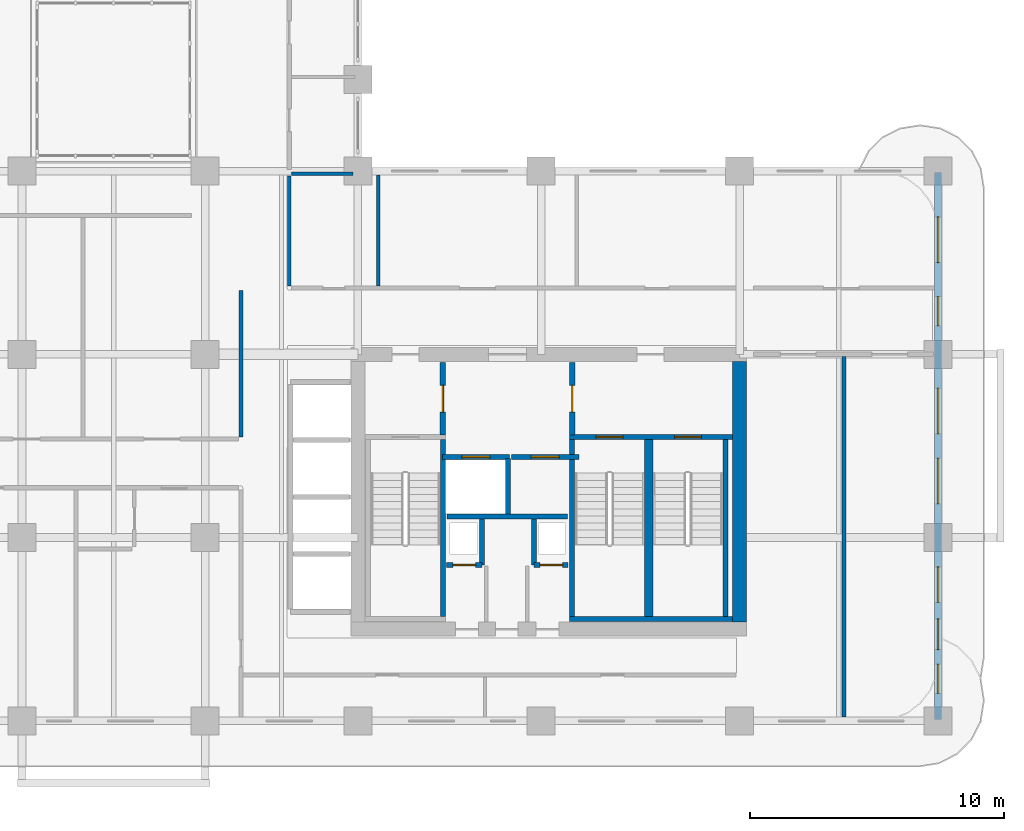
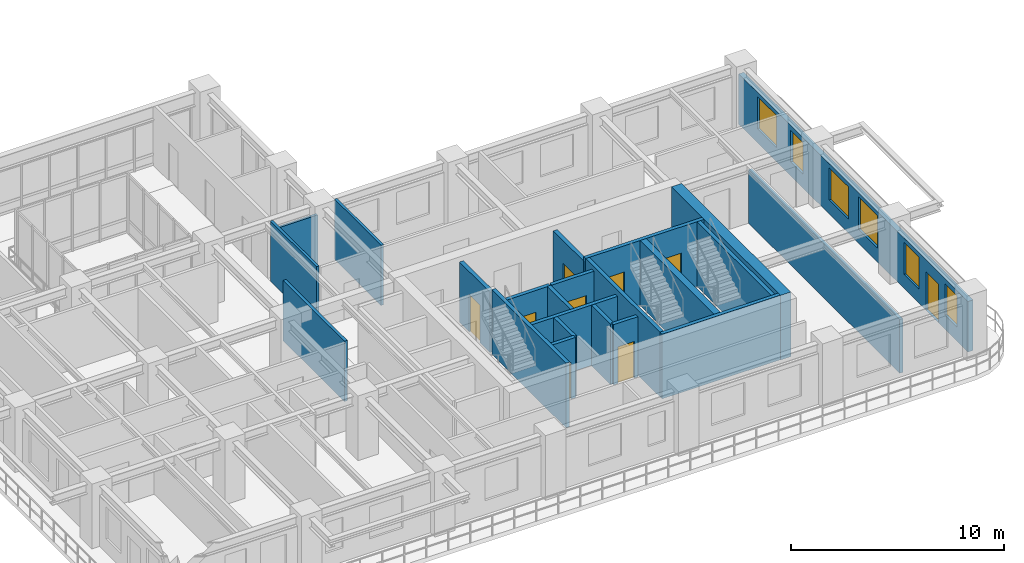
# One storey, part 14 of 22: 23 walls, 9 doors, 6 windows, 15 openings.
"""IFC4 building model written with IfcOpenShell, lengths in metres."""

from ifc_helpers import new_model, si_unit, derived_unit, direction, frame, frame_2d, origin, place, context, subcontext, project, spatial, rectangle, extrude, source, transform, mapped, material, layer, layer_set, type_object, type_shapes, element, fill, save


model = new_model("IFC4")

# Units and contexts
model_context = context("Model", 3, precision=1e-05, world=origin(), true_north=direction((0.0, 1.0)))
body_context = subcontext(model_context, "Body", "Model", "MODEL_VIEW")
ifc_project = project(units=[si_unit("LENGTHUNIT", "METRE"), si_unit("AREAUNIT", "SQUARE_METRE"), si_unit("VOLUMEUNIT", "CUBIC_METRE"), si_unit("PLANEANGLEUNIT", "RADIAN"), si_unit("MASSUNIT", "GRAM", prefix="KILO"), si_unit("THERMODYNAMICTEMPERATUREUNIT", "KELVIN"), si_unit("POWERUNIT", "WATT"), derived_unit("THERMALTRANSMITTANCEUNIT", [(si_unit("POWERUNIT", "WATT"), 1), (si_unit("AREAUNIT", "SQUARE_METRE"), -1), (si_unit("THERMODYNAMICTEMPERATUREUNIT", "KELVIN"), -1)])], contexts=[model_context])

# Site, building, storey
site_placement = place(None, origin())
site = spatial("IfcSite", under=ifc_project, at=site_placement, CompositionType="ELEMENT")
building_placement = place(site_placement, origin())
building = spatial("IfcBuilding", under=site, at=building_placement, Name="Zahravan Archway Hotel and Residences", CompositionType="ELEMENT")
storey_placement = place(building_placement, frame((0.0, 0.0, 95.300048828125)))
storey = spatial("IfcBuildingStorey", under=building, at=storey_placement, Name="L23", CompositionType="ELEMENT", Elevation=95.300048828125)

# Wall
ifc_material_1 = material(Name="Concrete C70/85", Category="concrete")
ifc_layer_1 = layer(ifc_material_1, 0.550048828125, Name="Concrete C70/85", Category="concrete")
ifc_layer_set_1 = layer_set([ifc_layer_1], Name="Concrete C70/85")
wall_type_1 = type_object("IfcWallType", Name="CW-CORE-550", PredefinedType="SHEAR", material=ifc_layer_set_1)
wall_1_placement = place(storey_placement, frame((49.800048828125, 3.875, 0.0), z_axis=(0.0, 0.0, 1.0), x_axis=(0.0, 1.0, 0.0)))
element("IfcWall", 1, at=wall_1_placement, inside=storey, type_object=wall_type_1, Name="L23 Core A Shear E Wall 550 mm", PredefinedType="SHEAR", context=body_context, shape_type="SweptSolid", body=[
    extrude(rectangle(XDim=10.25, YDim=0.550048828125, at=frame_2d((5.125, 0.0))), origin(), (0.0, 0.0, 1.0), 3.699951171875),
])

# Wall, openings, door, windows
ifc_material_2 = material(Name="Honed Red-Ochre Sandstone & Insulated Block", Category="masonry")
ifc_layer_2 = layer(ifc_material_2, 0.280029296875, Name="Honed Red-Ochre Sandstone & Insulated Block", Category="masonry")
ifc_layer_set_2 = layer_set([ifc_layer_2], Name="Honed Red-Ochre Sandstone & Insulated Block")
wall_type_2 = type_object("IfcWallType", Name="EW-LOG-280", PredefinedType="SOLIDWALL", material=ifc_layer_set_2)
wall_2_placement = place(storey_placement, frame((57.60009765625, 0.050048828125, 0.0), z_axis=(0.0, 0.0, 1.0), x_axis=(0.0, 1.0, 0.0)))
wall_2 = element("IfcWall", 2, at=wall_2_placement, inside=storey, type_object=wall_type_2, Name="L23 Exterior Sandstone Wall WA-E", PredefinedType="SOLIDWALL", context=body_context, shape_type="SweptSolid", body=[
    extrude(rectangle(XDim=21.5, YDim=0.280029296875, at=frame_2d((10.75, 0.0))), origin(), (0.0, 0.0, 1.0), 2.885009765625),
])
opening_1_placement = place(wall_2_placement, frame((2.75, 0.0, 0.0)))
opening_1 = element("IfcOpeningElement", 3, at=opening_1_placement, cuts=wall_2, Name="Opening ED-BL1", PredefinedType="OPENING", context=body_context, shape_type="SweptSolid", body=[
    extrude(rectangle(XDim=1.199951171875, YDim=2.199951171875, at=frame_2d((0.60009765625, 1.10009765625))), frame((0.0, 0.14990234375, 0.0), z_axis=(0.0, -1.0, 0.0), x_axis=(1.0, 0.0, 0.0)), (0.0, 0.0, 1.0), 0.300048828125),
])
opening_2_placement = place(wall_2_placement, frame((1.02490234375, 0.0, 0.800048828125)))
opening_2 = element("IfcOpeningElement", 4, at=opening_2_placement, cuts=wall_2, Name="Opening W-05", PredefinedType="OPENING", context=body_context, shape_type="SweptSolid", body=[
    extrude(rectangle(XDim=1.14990234375, YDim=1.800048828125, at=frame_2d((0.574951171875, 0.89990234375))), frame((0.0, 0.14990234375, 0.0), z_axis=(0.0, -1.0, 0.0), x_axis=(1.0, 0.0, 0.0)), (0.0, 0.0, 1.0), 0.300048828125),
])
opening_3_placement = place(wall_2_placement, frame((4.60009765625, 0.0, 0.800048828125)))
opening_3 = element("IfcOpeningElement", 5, at=opening_3_placement, cuts=wall_2, Name="Opening W-03", PredefinedType="OPENING", context=body_context, shape_type="SweptSolid", body=[
    extrude(rectangle(XDim=1.39990234375, YDim=1.85009765625, at=frame_2d((0.699951171875, 0.925048828125))), frame((0.0, 0.14990234375, 0.0), z_axis=(0.0, -1.0, 0.0), x_axis=(1.0, 0.0, 0.0)), (0.0, 0.0, 1.0), 0.300048828125),
])
opening_4_placement = place(wall_2_placement, frame((8.47509765625, 0.0, 0.800048828125)))
opening_4 = element("IfcOpeningElement", 6, at=opening_4_placement, cuts=wall_2, Name="Opening W-02", PredefinedType="OPENING", context=body_context, shape_type="SweptSolid", body=[
    extrude(rectangle(XDim=1.800048828125, YDim=1.85009765625, at=frame_2d((0.89990234375, 0.925048828125))), frame((0.0, 0.14990234375, 0.0), z_axis=(0.0, -1.0, 0.0), x_axis=(1.0, 0.0, 0.0)), (0.0, 0.0, 1.0), 0.300048828125),
])
opening_5_placement = place(wall_2_placement, frame((11.22509765625, 0.0, 0.800048828125)))
opening_5 = element("IfcOpeningElement", 7, at=opening_5_placement, cuts=wall_2, Name="Opening W-02", PredefinedType="OPENING", context=body_context, shape_type="SweptSolid", body=[
    extrude(rectangle(XDim=1.800048828125, YDim=1.85009765625, at=frame_2d((0.89990234375, 0.925048828125))), frame((0.0, 0.14990234375, 0.0), z_axis=(0.0, -1.0, 0.0), x_axis=(1.0, 0.0, 0.0)), (0.0, 0.0, 1.0), 0.300048828125),
])
opening_6_placement = place(wall_2_placement, frame((15.470947265625, 0.0, 0.800048828125)))
opening_6 = element("IfcOpeningElement", 8, at=opening_6_placement, cuts=wall_2, Name="Opening W-05", PredefinedType="OPENING", context=body_context, shape_type="SweptSolid", body=[
    extrude(rectangle(XDim=1.14990234375, YDim=1.800048828125, at=frame_2d((0.574951171875, 0.89990234375))), frame((0.0, 0.14990234375, 0.0), z_axis=(0.0, -1.0, 0.0), x_axis=(1.0, 0.0, 0.0)), (0.0, 0.0, 1.0), 0.300048828125),
])
opening_7_placement = place(wall_2_placement, frame((17.9541015625, 0.0, 0.800048828125)))
opening_7 = element("IfcOpeningElement", 9, at=opening_7_placement, cuts=wall_2, Name="Opening W-02", PredefinedType="OPENING", context=body_context, shape_type="SweptSolid", body=[
    extrude(rectangle(XDim=1.800048828125, YDim=1.85009765625, at=frame_2d((0.89990234375, 0.925048828125))), frame((0.0, 0.14990234375, 0.0), z_axis=(0.0, -1.0, 0.0), x_axis=(1.0, 0.0, 0.0)), (0.0, 0.0, 1.0), 0.300048828125),
])
ifc_material_3 = material(Name="Bronze-Anodized Glazed Aluminium", Category="aluminium")
door_type_1 = type_object("IfcDoorType", Name="ED-BALC-1200", OperationType="SLIDING_TO_LEFT", PredefinedType="DOOR", material=ifc_material_3)
shared_shape_1 = source(origin(), body_context, "Body", "SweptSolid", [
    extrude(rectangle(XDim=1.199951171875, YDim=2.199951171875, at=frame_2d((0.60009765625, 1.10009765625))), frame((0.0, 0.02490234375, 0.0), z_axis=(0.0, -1.0, 0.0), x_axis=(1.0, 0.0, 0.0)), (0.0, 0.0, 1.0), 0.050048828125),
])
type_shapes(door_type_1, [shared_shape_1])
door_1_placement = place(opening_1_placement, origin())
door_1 = element("IfcDoor", 10, at=door_1_placement, inside=storey, type_object=door_type_1, Name="L23 Outdoor Access Sliding Door (SLB-BAL-L23-EA)", OperationType="SLIDING_TO_LEFT", OverallHeight=2.199951171875, OverallWidth=1.199951171875, PredefinedType="DOOR", context=body_context, shape_type="MappedRepresentation", body=[
    mapped(shared_shape_1, transform((0.0, 0.0, 0.0), scale=1.0)),
])
fill(opening_1, door_1)
ifc_material_4 = material(Name="Bronze-Anodized Thermal-Break Aluminium & Low-E Glass", Category="aluminium")
window_type_1 = type_object("IfcWindowType", Name="WIN-TWR-1400", PartitioningType="SINGLE_PANEL", PredefinedType="WINDOW", material=ifc_material_4)
shared_shape_2 = source(origin(), body_context, "Body", "SweptSolid", [
    extrude(rectangle(XDim=1.39990234375, YDim=1.85009765625, at=frame_2d((0.699951171875, 0.925048828125))), frame((0.0, 0.030029296875, 0.0), z_axis=(0.0, -1.0, 0.0), x_axis=(1.0, 0.0, 0.0)), (0.0, 0.0, 1.0), 0.06005859375),
])
type_shapes(window_type_1, [shared_shape_2])
window_1_placement = place(opening_3_placement, origin())
window_1 = element("IfcWindow", 11, at=window_1_placement, inside=storey, type_object=window_type_1, Name="L23 Loggia Window 13", OverallHeight=1.85009765625, OverallWidth=1.39990234375, PartitioningType="SINGLE_PANEL", PredefinedType="WINDOW", context=body_context, shape_type="MappedRepresentation", body=[
    mapped(shared_shape_2, transform((0.0, 0.0, 0.0), scale=1.0)),
])
fill(opening_3, window_1)
window_type_2 = type_object("IfcWindowType", Name="WIN-TWR-1800", PartitioningType="DOUBLE_PANEL_VERTICAL", PredefinedType="WINDOW", material=ifc_material_4)
shared_shape_3 = source(origin(), body_context, "Body", "SweptSolid", [
    extrude(rectangle(XDim=1.800048828125, YDim=1.85009765625, at=frame_2d((0.89990234375, 0.925048828125))), frame((0.0, 0.030029296875, 0.0), z_axis=(0.0, -1.0, 0.0), x_axis=(1.0, 0.0, 0.0)), (0.0, 0.0, 1.0), 0.06005859375),
])
type_shapes(window_type_2, [shared_shape_3])
window_2_placement = place(opening_4_placement, origin())
window_2 = element("IfcWindow", 12, at=window_2_placement, inside=storey, type_object=window_type_2, Name="L23 Loggia Window 14", OverallHeight=1.85009765625, OverallWidth=1.800048828125, PartitioningType="DOUBLE_PANEL_VERTICAL", PredefinedType="WINDOW", context=body_context, shape_type="MappedRepresentation", body=[
    mapped(shared_shape_3, transform((0.0, 0.0, 0.0), scale=1.0)),
])
fill(opening_4, window_2)
window_3_placement = place(opening_5_placement, origin())
window_3 = element("IfcWindow", 13, at=window_3_placement, inside=storey, type_object=window_type_2, Name="L23 Loggia Window 15", OverallHeight=1.85009765625, OverallWidth=1.800048828125, PartitioningType="DOUBLE_PANEL_VERTICAL", PredefinedType="WINDOW", context=body_context, shape_type="MappedRepresentation", body=[
    mapped(shared_shape_3, transform((0.0, 0.0, 0.0), scale=1.0)),
])
fill(opening_5, window_3)
window_4_placement = place(opening_7_placement, origin())
window_4 = element("IfcWindow", 14, at=window_4_placement, inside=storey, type_object=window_type_2, Name="L23 Loggia Window 17", OverallHeight=1.85009765625, OverallWidth=1.800048828125, PartitioningType="DOUBLE_PANEL_VERTICAL", PredefinedType="WINDOW", context=body_context, shape_type="MappedRepresentation", body=[
    mapped(shared_shape_3, transform((0.0, 0.0, 0.0), scale=1.0)),
])
fill(opening_7, window_4)
window_type_3 = type_object("IfcWindowType", Name="WIN-TWR-1150", PartitioningType="SINGLE_PANEL", PredefinedType="WINDOW", material=ifc_material_4)
shared_shape_4 = source(origin(), body_context, "Body", "SweptSolid", [
    extrude(rectangle(XDim=1.14990234375, YDim=1.800048828125, at=frame_2d((0.574951171875, 0.89990234375))), frame((0.0, 0.030029296875, 0.0), z_axis=(0.0, -1.0, 0.0), x_axis=(1.0, 0.0, 0.0)), (0.0, 0.0, 1.0), 0.06005859375),
])
type_shapes(window_type_3, [shared_shape_4])
window_5_placement = place(opening_2_placement, origin())
window_5 = element("IfcWindow", 15, at=window_5_placement, inside=storey, type_object=window_type_3, Name="L23 Loggia Window 12", OverallHeight=1.800048828125, OverallWidth=1.14990234375, PartitioningType="SINGLE_PANEL", PredefinedType="WINDOW", context=body_context, shape_type="MappedRepresentation", body=[
    mapped(shared_shape_4, transform((0.0, 0.0, 0.0), scale=1.0)),
])
fill(opening_2, window_5)
window_6_placement = place(opening_6_placement, origin())
window_6 = element("IfcWindow", 16, at=window_6_placement, inside=storey, type_object=window_type_3, Name="L23 Loggia Window 16", OverallHeight=1.800048828125, OverallWidth=1.14990234375, PartitioningType="SINGLE_PANEL", PredefinedType="WINDOW", context=body_context, shape_type="MappedRepresentation", body=[
    mapped(shared_shape_4, transform((0.0, 0.0, 0.0), scale=1.0)),
])
fill(opening_6, window_6)

# Wall, opening, door
ifc_material_5 = material(Name="Fire-Rated Gypsum & Concrete Block", Category="concrete")
ifc_layer_3 = layer(ifc_material_5, 0.219970703125, Name="Fire-Rated Gypsum & Concrete Block", Category="concrete")
ifc_layer_set_3 = layer_set([ifc_layer_3], Name="Fire-Rated Gypsum & Concrete Block")
wall_type_3 = type_object("IfcWallType", Name="PW-COMP-220", PredefinedType="PARTITIONING", material=ifc_layer_set_3)
wall_3_placement = place(storey_placement, frame((38.139892578125, 11.219970703125, 0.0), z_axis=(0.0, 0.0, 1.0), x_axis=(0.0, 1.0, 0.0)))
wall_3 = element("IfcWall", 17, at=wall_3_placement, inside=storey, type_object=wall_type_3, Name="L23 Partition CA-LOBW", PredefinedType="PARTITIONING", context=body_context, shape_type="SweptSolid", body=[
    extrude(rectangle(XDim=2.860107421875, YDim=0.219970703125, at=frame_2d((1.43017578125, 0.0))), origin(), (0.0, 0.0, 1.0), 3.449951171875),
])
opening_8_placement = place(wall_3_placement, frame((0.905029296875, 0.0, 0.0)))
opening_8 = element("IfcOpeningElement", 18, at=opening_8_placement, cuts=wall_3, Name="Opening FD-L2", PredefinedType="OPENING", context=body_context, shape_type="SweptSolid", body=[
    extrude(rectangle(XDim=1.050048828125, YDim=2.14990234375, at=frame_2d((0.52490234375, 1.074951171875))), frame((0.0, 0.1201171875, 0.0), z_axis=(0.0, -1.0, 0.0), x_axis=(1.0, 0.0, 0.0)), (0.0, 0.0, 1.0), 0.239990234375),
])
ifc_material_6 = material(Name="Fire-Rated Painted Steel", Category="steel")
door_type_2 = type_object("IfcDoorType", Name="FD-LOBBY-1100", OperationType="NOTDEFINED", PredefinedType="DOOR", material=ifc_material_6)
shared_shape_5 = source(origin(), body_context, "Body", "SweptSolid", [
    extrude(rectangle(XDim=1.050048828125, YDim=2.14990234375, at=frame_2d((0.52490234375, 1.074951171875))), frame((0.0, 0.02490234375, 0.0), z_axis=(0.0, -1.0, 0.0), x_axis=(1.0, 0.0, 0.0)), (0.0, 0.0, 1.0), 0.050048828125),
])
type_shapes(door_type_2, [shared_shape_5])
door_2_placement = place(opening_8_placement, origin())
door_2 = element("IfcDoor", 19, at=door_2_placement, inside=storey, type_object=door_type_2, Name="L23 Core A West Stair to FSAE Lobby Door", OperationType="SINGLE_SWING_RIGHT", OverallHeight=2.14990234375, OverallWidth=1.050048828125, PredefinedType="DOOR", context=body_context, shape_type="MappedRepresentation", body=[
    mapped(shared_shape_5, transform((0.0, 0.0, 0.0), scale=1.0)),
])
fill(opening_8, door_2)

wall_4_placement = place(storey_placement, frame((43.219970703125, 11.219970703125, 0.0), z_axis=(0.0, 0.0, 1.0), x_axis=(0.0, 1.0, 0.0)))
wall_4 = element("IfcWall", 20, at=wall_4_placement, inside=storey, type_object=wall_type_3, Name="L23 Partition CA-LOBE", PredefinedType="PARTITIONING", context=body_context, shape_type="SweptSolid", body=[
    extrude(rectangle(XDim=2.860107421875, YDim=0.219970703125, at=frame_2d((1.43017578125, 0.0))), origin(), (0.0, 0.0, 1.0), 3.449951171875),
])
opening_9_placement = place(wall_4_placement, frame((0.905029296875, 0.0, 0.0)))
opening_9 = element("IfcOpeningElement", 21, at=opening_9_placement, cuts=wall_4, Name="Opening FD-L2", PredefinedType="OPENING", context=body_context, shape_type="SweptSolid", body=[
    extrude(rectangle(XDim=1.050048828125, YDim=2.14990234375, at=frame_2d((0.52490234375, 1.074951171875))), frame((0.0, 0.1201171875, 0.0), z_axis=(0.0, -1.0, 0.0), x_axis=(1.0, 0.0, 0.0)), (0.0, 0.0, 1.0), 0.239990234375),
])
door_3_placement = place(opening_9_placement, origin())
door_3 = element("IfcDoor", 22, at=door_3_placement, inside=storey, type_object=door_type_2, Name="L23 Core A East Stair to FSAE Lobby Door", OperationType="SINGLE_SWING_LEFT", OverallHeight=2.14990234375, OverallWidth=1.050048828125, PredefinedType="DOOR", context=body_context, shape_type="MappedRepresentation", body=[
    mapped(shared_shape_5, transform((0.0, 0.0, 0.0), scale=1.0)),
])
fill(opening_9, door_3)

# Walls
ifc_layer_4 = layer(ifc_material_5, 0.159912109375, Name="Fire-Rated Gypsum & Concrete Block", Category="concrete")
ifc_layer_set_4 = layer_set([ifc_layer_4], Name="Fire-Rated Gypsum & Concrete Block")
wall_type_4 = type_object("IfcWallType", Name="PW-CORR-160", PredefinedType="PARTITIONING", material=ifc_layer_set_4)
wall_5_placement = place(storey_placement, frame((30.199951171875, 11.159912109375, 0.0), z_axis=(0.0, 0.0, 1.0), x_axis=(0.0, 1.0, 0.0)))
element("IfcWall", 23, at=wall_5_placement, inside=storey, type_object=wall_type_4, Name="L23 Partition WA-FW", PredefinedType="PARTITIONING", context=body_context, shape_type="SweptSolid", body=[
    extrude(rectangle(XDim=5.75, YDim=0.159912109375, at=frame_2d((2.875, 0.0))), origin(), (0.0, 0.0, 1.0), 3.449951171875),
])
ifc_layer_5 = layer(ifc_material_5, 0.199951171875, Name="Fire-Rated Gypsum & Concrete Block", Category="concrete")
ifc_layer_set_5 = layer_set([ifc_layer_5], Name="Fire-Rated Gypsum & Concrete Block")
wall_type_5 = type_object("IfcWallType", Name="PW-SHAFT-200", PredefinedType="PARTITIONING", material=ifc_layer_set_5)
wall_6_placement = place(storey_placement, frame((38.300048828125, 8.030029296875, 0.0), z_axis=(0.0, 0.0, 1.0), x_axis=(1.0, 0.0, 0.0)))
element("IfcWall", 24, at=wall_6_placement, inside=storey, type_object=wall_type_5, Name="L23 Partition CA-FLS", PredefinedType="PARTITIONING", context=body_context, shape_type="SweptSolid", body=[
    extrude(rectangle(XDim=4.739990234375, YDim=0.199951171875, at=frame_2d((2.3701171875, 0.0))), origin(), (0.0, 0.0, 1.0), 3.449951171875),
])
wall_7_placement = place(storey_placement, frame((40.699951171875, 8.1201171875, 0.0), z_axis=(0.0, 0.0, 1.0), x_axis=(0.0, 1.0, 0.0)))
element("IfcWall", 25, at=wall_7_placement, inside=storey, type_object=wall_type_5, Name="L23 Partition CA-FLM", PredefinedType="PARTITIONING", context=body_context, shape_type="SweptSolid", body=[
    extrude(rectangle(XDim=2.179931640625, YDim=0.199951171875, at=frame_2d((1.08984375, 0.0))), origin(), (0.0, 0.0, 1.0), 3.449951171875),
])

# Wall, opening, door
wall_8_placement = place(storey_placement, frame((38.2900390625, 6.1201171875, 0.0), z_axis=(0.0, 0.0, 1.0), x_axis=(1.0, 0.0, 0.0)))
wall_8 = element("IfcWall", 26, at=wall_8_placement, inside=storey, type_object=wall_type_5, Name="L23 Partition CA-SMKS", PredefinedType="PARTITIONING", context=body_context, shape_type="SweptSolid", body=[
    extrude(rectangle(XDim=1.3798828125, YDim=0.199951171875, at=frame_2d((0.68994140625, 0.0))), origin(), (0.0, 0.0, 1.0), 3.449951171875),
])
opening_10_placement = place(wall_8_placement, frame((0.239990234375, 0.0, 0.0)))
opening_10 = element("IfcOpeningElement", 27, at=opening_10_placement, cuts=wall_8, Name="Opening FD-R1", PredefinedType="OPENING", context=body_context, shape_type="SweptSolid", body=[
    extrude(rectangle(XDim=0.89990234375, YDim=2.10009765625, at=frame_2d((0.449951171875, 1.050048828125))), frame((0.0, 0.10986328125, 0.0), z_axis=(0.0, -1.0, 0.0), x_axis=(1.0, 0.0, 0.0)), (0.0, 0.0, 1.0), 0.219970703125),
])
door_type_3 = type_object("IfcDoorType", Name="FD-RISER-900", OperationType="NOTDEFINED", PredefinedType="DOOR", material=ifc_material_6)
shared_shape_6 = source(origin(), body_context, "Body", "SweptSolid", [
    extrude(rectangle(XDim=0.89990234375, YDim=2.10009765625, at=frame_2d((0.449951171875, 1.050048828125))), frame((0.0, 0.02490234375, 0.0), z_axis=(0.0, -1.0, 0.0), x_axis=(1.0, 0.0, 0.0)), (0.0, 0.0, 1.0), 0.050048828125),
])
type_shapes(door_type_3, [shared_shape_6])
door_4_placement = place(opening_10_placement, origin())
door_4 = element("IfcDoor", 28, at=door_4_placement, inside=storey, type_object=door_type_3, Name="L23 Smoke Riser Access Door", OperationType="SINGLE_SWING_RIGHT", OverallHeight=2.10009765625, OverallWidth=0.89990234375, PredefinedType="DOOR", context=body_context, shape_type="MappedRepresentation", body=[
    mapped(shared_shape_6, transform((0.0, 0.0, 0.0), scale=1.0)),
])
fill(opening_10, door_4)

# Wall
wall_9_placement = place(storey_placement, frame((39.679931640625, 6.1298828125, 0.0), z_axis=(0.0, 0.0, 1.0), x_axis=(0.0, 1.0, 0.0)))
element("IfcWall", 29, at=wall_9_placement, inside=storey, type_object=wall_type_5, Name="L23 Partition CA-SMKE", PredefinedType="PARTITIONING", context=body_context, shape_type="SweptSolid", body=[
    extrude(rectangle(XDim=1.7900390625, YDim=0.199951171875, at=frame_2d((0.89501953125, 0.0))), origin(), (0.0, 0.0, 1.0), 3.449951171875),
])

# Wall, opening, door
wall_10_placement = place(storey_placement, frame((41.72998046875, 6.1201171875, 0.0), z_axis=(0.0, 0.0, 1.0), x_axis=(1.0, 0.0, 0.0)))
wall_10 = element("IfcWall", 30, at=wall_10_placement, inside=storey, type_object=wall_type_5, Name="L23 Partition CA-MEPS", PredefinedType="PARTITIONING", context=body_context, shape_type="SweptSolid", body=[
    extrude(rectangle(XDim=1.320068359375, YDim=0.199951171875, at=frame_2d((0.66015625, 0.0))), origin(), (0.0, 0.0, 1.0), 3.449951171875),
])
opening_11_placement = place(wall_10_placement, frame((0.219970703125, 0.0, 0.0)))
opening_11 = element("IfcOpeningElement", 31, at=opening_11_placement, cuts=wall_10, Name="Opening FD-R1", PredefinedType="OPENING", context=body_context, shape_type="SweptSolid", body=[
    extrude(rectangle(XDim=0.89990234375, YDim=2.10009765625, at=frame_2d((0.449951171875, 1.050048828125))), frame((0.0, 0.10986328125, 0.0), z_axis=(0.0, -1.0, 0.0), x_axis=(1.0, 0.0, 0.0)), (0.0, 0.0, 1.0), 0.219970703125),
])
door_5_placement = place(opening_11_placement, origin())
door_5 = element("IfcDoor", 32, at=door_5_placement, inside=storey, type_object=door_type_3, Name="L23 MEP Riser Access Door", OperationType="SINGLE_SWING_LEFT", OverallHeight=2.10009765625, OverallWidth=0.89990234375, PredefinedType="DOOR", context=body_context, shape_type="MappedRepresentation", body=[
    mapped(shared_shape_6, transform((0.0, 0.0, 0.0), scale=1.0)),
])
fill(opening_11, door_5)

# Wall
wall_11_placement = place(storey_placement, frame((41.719970703125, 6.1298828125, 0.0), z_axis=(0.0, 0.0, 1.0), x_axis=(0.0, 1.0, 0.0)))
element("IfcWall", 33, at=wall_11_placement, inside=storey, type_object=wall_type_5, Name="L23 Partition CA-MEPW", PredefinedType="PARTITIONING", context=body_context, shape_type="SweptSolid", body=[
    extrude(rectangle(XDim=1.7900390625, YDim=0.199951171875, at=frame_2d((0.89501953125, 0.0))), origin(), (0.0, 0.0, 1.0), 3.449951171875),
])

# Wall, opening, door
wall_12_placement = place(storey_placement, frame((38.1201171875, 10.3701171875, 0.0), z_axis=(0.0, 0.0, 1.0), x_axis=(1.0, 0.0, 0.0)))
wall_12 = element("IfcWall", 34, at=wall_12_placement, inside=storey, type_object=wall_type_5, Name="L23 Lift FL-1 Front Wall", PredefinedType="PARTITIONING", context=body_context, shape_type="SweptSolid", body=[
    extrude(rectangle(XDim=2.639892578125, YDim=0.199951171875, at=frame_2d((1.31982421875, 0.0))), origin(), (0.0, 0.0, 1.0), 3.449951171875),
])
opening_12_placement = place(wall_12_placement, frame((0.77001953125, 0.0, 0.0)))
opening_12 = element("IfcOpeningElement", 35, at=opening_12_placement, cuts=wall_12, Name="Opening LD", PredefinedType="OPENING", context=body_context, shape_type="SweptSolid", body=[
    extrude(rectangle(XDim=1.10009765625, YDim=2.199951171875, at=frame_2d((0.550048828125, 1.10009765625))), frame((0.0, 0.10986328125, 0.0), z_axis=(0.0, -1.0, 0.0), x_axis=(1.0, 0.0, 0.0)), (0.0, 0.0, 1.0), 0.219970703125),
])
ifc_material_7 = material(Name="Brushed Stainless Steel", Category="steel")
door_type_4 = type_object("IfcDoorType", Name="DR-LIFT-LD", OperationType="SLIDING_TO_LEFT", PredefinedType="DOOR", material=ifc_material_7)
shared_shape_7 = source(origin(), body_context, "Body", "SweptSolid", [
    extrude(rectangle(XDim=1.10009765625, YDim=2.199951171875, at=frame_2d((0.550048828125, 1.10009765625))), frame((0.0, 0.02490234375, 0.0), z_axis=(0.0, -1.0, 0.0), x_axis=(1.0, 0.0, 0.0)), (0.0, 0.0, 1.0), 0.050048828125),
])
type_shapes(door_type_4, [shared_shape_7])
door_6_placement = place(opening_12_placement, origin())
door_6 = element("IfcDoor", 36, at=door_6_placement, inside=storey, type_object=door_type_4, Name="L23 Lift FL-1 Sliding Landing Door", OperationType="SLIDING_TO_LEFT", OverallHeight=2.199951171875, OverallWidth=1.10009765625, PredefinedType="DOOR", context=body_context, shape_type="MappedRepresentation", body=[
    mapped(shared_shape_7, transform((0.0, 0.0, 0.0), scale=1.0)),
])
fill(opening_12, door_6)

wall_13_placement = place(storey_placement, frame((40.840087890625, 10.3701171875, 0.0), z_axis=(0.0, 0.0, 1.0), x_axis=(1.0, 0.0, 0.0)))
wall_13 = element("IfcWall", 37, at=wall_13_placement, inside=storey, type_object=wall_type_5, Name="L23 Lift FL-2 Front Wall", PredefinedType="PARTITIONING", context=body_context, shape_type="SweptSolid", body=[
    extrude(rectangle(XDim=2.639892578125, YDim=0.199951171875, at=frame_2d((1.31982421875, 0.0))), origin(), (0.0, 0.0, 1.0), 3.449951171875),
])
opening_13_placement = place(wall_13_placement, frame((0.77001953125, 0.0, 0.0)))
opening_13 = element("IfcOpeningElement", 38, at=opening_13_placement, cuts=wall_13, Name="Opening LD", PredefinedType="OPENING", context=body_context, shape_type="SweptSolid", body=[
    extrude(rectangle(XDim=1.10009765625, YDim=2.199951171875, at=frame_2d((0.550048828125, 1.10009765625))), frame((0.0, 0.10986328125, 0.0), z_axis=(0.0, -1.0, 0.0), x_axis=(1.0, 0.0, 0.0)), (0.0, 0.0, 1.0), 0.219970703125),
])
door_7_placement = place(opening_13_placement, origin())
door_7 = element("IfcDoor", 39, at=door_7_placement, inside=storey, type_object=door_type_4, Name="L23 Lift FL-2 Sliding Landing Door", OperationType="SLIDING_TO_LEFT", OverallHeight=2.199951171875, OverallWidth=1.10009765625, PredefinedType="DOOR", context=body_context, shape_type="MappedRepresentation", body=[
    mapped(shared_shape_7, transform((0.0, 0.0, 0.0), scale=1.0)),
])
fill(opening_13, door_7)

# Walls
ifc_material_8 = material(Name="Acoustic Stud Partition")
ifc_layer_6 = layer(ifc_material_8, 0.169921875, Name="Acoustic Stud Partition")
ifc_layer_set_6 = layer_set([ifc_layer_6], Name="Acoustic Stud Partition")
wall_type_6 = type_object("IfcWallType", Name="PW-UNIT-170", PredefinedType="PARTITIONING", material=ifc_layer_set_6)
wall_14_placement = place(storey_placement, frame((53.89990234375, 0.14794921875, 0.0), z_axis=(0.0, 0.0, 1.0), x_axis=(0.0, 1.0, 0.0)))
element("IfcWall", 40, at=wall_14_placement, inside=storey, type_object=wall_type_6, Name="L23 Partition EA-EV", PredefinedType="PARTITIONING", context=body_context, shape_type="SweptSolid", body=[
    extrude(rectangle(XDim=14.162109375, YDim=0.169921875, at=frame_2d((7.0810546875, 0.0))), origin(), (0.0, 0.0, 1.0), 3.074951171875),
])
ifc_material_9 = material(Name="Moisture-Resistant Blockwork", Category="masonry")
ifc_layer_7 = layer(ifc_material_9, 0.139892578125, Name="Moisture-Resistant Blockwork", Category="masonry")
ifc_layer_set_7 = layer_set([ifc_layer_7], Name="Moisture-Resistant Blockwork")
wall_type_7 = type_object("IfcWallType", Name="PW-WET-140", PredefinedType="PARTITIONING", material=ifc_layer_set_7)
wall_15_placement = place(storey_placement, frame((32.10009765625, 17.090087890625, 0.0), z_axis=(0.0, 0.0, 1.0), x_axis=(0.0, 1.0, 0.0)))
element("IfcWall", 41, at=wall_15_placement, inside=storey, type_object=wall_type_7, Name="L23 Partition NE-W0", PredefinedType="PARTITIONING", context=body_context, shape_type="SweptSolid", body=[
    extrude(rectangle(XDim=4.31982421875, YDim=0.139892578125, at=frame_2d((2.159912109375, 0.0))), origin(), (0.0, 0.0, 1.0), 3.449951171875),
])
wall_16_placement = place(storey_placement, frame((35.60009765625, 17.090087890625, 0.0), z_axis=(0.0, 0.0, 1.0), x_axis=(0.0, 1.0, 0.0)))
element("IfcWall", 42, at=wall_16_placement, inside=storey, type_object=wall_type_7, Name="L23 Partition NE3-1", PredefinedType="PARTITIONING", context=body_context, shape_type="SweptSolid", body=[
    extrude(rectangle(XDim=4.36181640625, YDim=0.139892578125, at=frame_2d((2.180908203125, 0.0))), origin(), (0.0, 0.0, 1.0), 3.449951171875),
])
wall_17_placement = place(storey_placement, frame((32.18994140625, 21.5, 0.0), z_axis=(0.0, 0.0, 1.0), x_axis=(1.0, 0.0, 0.0)))
element("IfcWall", 43, at=wall_17_placement, inside=storey, type_object=wall_type_7, Name="L23 Partition ATR-ES", PredefinedType="PARTITIONING", context=body_context, shape_type="SweptSolid", body=[
    extrude(rectangle(XDim=2.420166015625, YDim=0.139892578125, at=frame_2d((1.2099609375, 0.0))), origin(), (0.0, 0.0, 1.0), 2.885009765625),
])
ifc_material_10 = material(Name="Concrete C50/60", Category="concrete")
ifc_layer_8 = layer(ifc_material_10, 0.199951171875, Name="Concrete C50/60", Category="concrete")
ifc_layer_set_8 = layer_set([ifc_layer_8], Name="Concrete C50/60")
wall_type_8 = type_object("IfcWallType", Name="SW-STAIR-200", PredefinedType="SHEAR", material=ifc_layer_set_8)
wall_18_placement = place(storey_placement, frame((38.139892578125, 4.10009765625, 0.0), z_axis=(0.0, 0.0, 1.0), x_axis=(0.0, 1.0, 0.0)))
element("IfcWall", 44, at=wall_18_placement, inside=storey, type_object=wall_type_8, Name="L23 Stairwell RC Wall CA-SA1E", PredefinedType="SHEAR", context=body_context, shape_type="SweptSolid", body=[
    extrude(rectangle(XDim=6.949951171875, YDim=0.199951171875, at=frame_2d((3.47509765625, 0.0))), origin(), (0.0, 0.0, 1.0), 3.699951171875),
])
wall_19_placement = place(storey_placement, frame((43.1201171875, 4.0, 0.0), z_axis=(0.0, 0.0, 1.0), x_axis=(1.0, 0.0, 0.0)))
element("IfcWall", 45, at=wall_19_placement, inside=storey, type_object=wall_type_8, Name="L23 Stairwell RC Wall CA-SA23S", PredefinedType="SHEAR", context=body_context, shape_type="SweptSolid", body=[
    extrude(rectangle(XDim=6.40478515625, YDim=0.199951171875, at=frame_2d((3.202392578125, 0.0))), origin(), (0.0, 0.0, 1.0), 3.699951171875),
])
for number, where, z_axis, x_axis, name in (
    (46, (43.219970703125, 4.10009765625, 0.0), (0.0, 0.0, 1.0), (0.0, 1.0, 0.0), "L23 Stairwell RC Wall CA-SA2W"),
    (47, (49.239990234375, 4.10009765625, 0.0), (0.0, 0.0, 1.0), (0.0, 1.0, 0.0), "L23 Stairwell RC Wall CA-SA3E"),
):
    element("IfcWall", number, at=place(storey_placement, frame(where, z_axis=z_axis, x_axis=x_axis)), inside=storey, type_object=wall_type_8, Name=name, PredefinedType="SHEAR", context=body_context, shape_type="SweptSolid", body=[
        extrude(rectangle(XDim=6.949951171875, YDim=0.199951171875, at=frame_2d((3.47509765625, 0.0))), origin(), (0.0, 0.0, 1.0), 3.699951171875),
    ])

# Wall, openings, doors
wall_20_placement = place(storey_placement, frame((43.1201171875, 11.14990234375, 0.0), z_axis=(0.0, 0.0, 1.0), x_axis=(1.0, 0.0, 0.0)))
wall_20 = element("IfcWall", 48, at=wall_20_placement, inside=storey, type_object=wall_type_8, Name="L23 Stairwell RC Wall CA-SA23N", PredefinedType="SHEAR", context=body_context, shape_type="SweptSolid", body=[
    extrude(rectangle(XDim=6.40478515625, YDim=0.199951171875, at=frame_2d((3.202392578125, 0.0))), origin(), (0.0, 0.0, 1.0), 3.699951171875),
])
opening_14_placement = place(wall_20_placement, frame((1.044921875, 0.0, 0.0)))
opening_14 = element("IfcOpeningElement", 49, at=opening_14_placement, cuts=wall_20, Name="Opening FD-S1", PredefinedType="OPENING", context=body_context, shape_type="SweptSolid", body=[
    extrude(rectangle(XDim=1.050048828125, YDim=2.199951171875, at=frame_2d((0.52490234375, 1.10009765625))), frame((0.0, 0.10986328125, 0.0), z_axis=(0.0, -1.0, 0.0), x_axis=(1.0, 0.0, 0.0)), (0.0, 0.0, 1.0), 0.219970703125),
])
opening_15_placement = place(wall_20_placement, frame((4.125, 0.0, 0.0)))
opening_15 = element("IfcOpeningElement", 50, at=opening_15_placement, cuts=wall_20, Name="Opening FD-S1", PredefinedType="OPENING", context=body_context, shape_type="SweptSolid", body=[
    extrude(rectangle(XDim=1.050048828125, YDim=2.199951171875, at=frame_2d((0.52490234375, 1.10009765625))), frame((0.0, 0.10986328125, 0.0), z_axis=(0.0, -1.0, 0.0), x_axis=(1.0, 0.0, 0.0)), (0.0, 0.0, 1.0), 0.219970703125),
])
door_type_5 = type_object("IfcDoorType", Name="FD-STAIR-1100", OperationType="NOTDEFINED", PredefinedType="DOOR", material=ifc_material_6)
shared_shape_8 = source(origin(), body_context, "Body", "SweptSolid", [
    extrude(rectangle(XDim=1.050048828125, YDim=2.199951171875, at=frame_2d((0.52490234375, 1.10009765625))), frame((0.0, 0.02490234375, 0.0), z_axis=(0.0, -1.0, 0.0), x_axis=(1.0, 0.0, 0.0)), (0.0, 0.0, 1.0), 0.050048828125),
])
type_shapes(door_type_5, [shared_shape_8])
door_8_placement = place(opening_14_placement, origin())
door_8 = element("IfcDoor", 51, at=door_8_placement, inside=storey, type_object=door_type_5, Name="L23 Stair ST-A2 Door", OperationType="SINGLE_SWING_RIGHT", OverallHeight=2.199951171875, OverallWidth=1.050048828125, PredefinedType="DOOR", context=body_context, shape_type="MappedRepresentation", body=[
    mapped(shared_shape_8, transform((0.0, 0.0, 0.0), scale=1.0)),
])
fill(opening_14, door_8)
door_9_placement = place(opening_15_placement, origin())
door_9 = element("IfcDoor", 52, at=door_9_placement, inside=storey, type_object=door_type_5, Name="L23 Stair ST-A3 Door", OperationType="SINGLE_SWING_LEFT", OverallHeight=2.199951171875, OverallWidth=1.050048828125, PredefinedType="DOOR", context=body_context, shape_type="MappedRepresentation", body=[
    mapped(shared_shape_8, transform((0.0, 0.0, 0.0), scale=1.0)),
])
fill(opening_15, door_9)

# Wall
ifc_layer_9 = layer(ifc_material_10, 0.340087890625, Name="Concrete C50/60", Category="concrete")
ifc_layer_set_9 = layer_set([ifc_layer_9], Name="Concrete C50/60")
wall_type_9 = type_object("IfcWallType", Name="SW-STAIR-340", PredefinedType="SHEAR", material=ifc_layer_set_9)
wall_21_placement = place(storey_placement, frame((46.22998046875, 4.10009765625, 0.0), z_axis=(0.0, 0.0, 1.0), x_axis=(0.0, 1.0, 0.0)))
element("IfcWall", 53, at=wall_21_placement, inside=storey, type_object=wall_type_9, Name="L23 Stairwell RC Wall CA-SA23M", PredefinedType="SHEAR", context=body_context, shape_type="SweptSolid", body=[
    extrude(rectangle(XDim=6.949951171875, YDim=0.340087890625, at=frame_2d((3.47509765625, 0.0))), origin(), (0.0, 0.0, 1.0), 3.699951171875),
])

save(model, "model.ifc")
